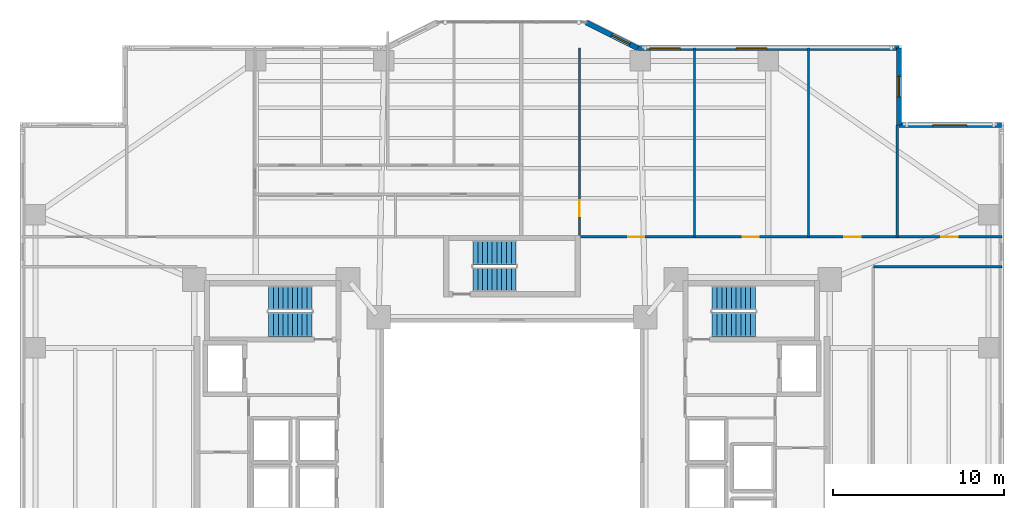
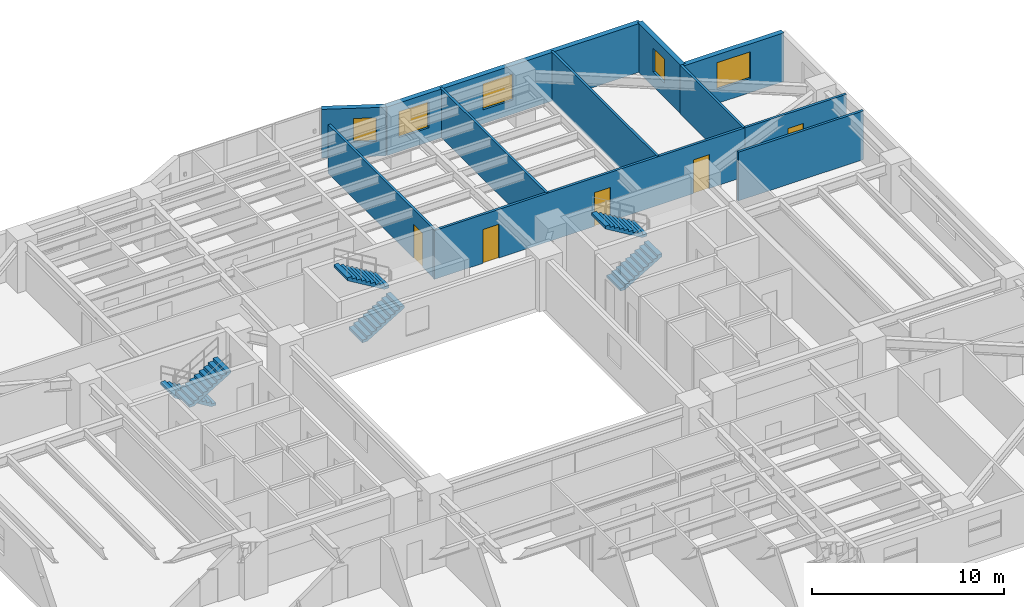
# One storey, part 14 of 19: 11 walls, 6 stair flights, 5 doors, 5 windows, 10 openings, 3 elements without a shape of their own.
"""IFC4 building model written with IfcOpenShell, lengths in metres."""

import ifcopenshell
import ifcopenshell.guid

model = None  # the IFC model being written
_history = None  # IfcOwnerHistory: only IFC2X3 demands one
_inside = {}  # id of a spatial element -> (the spatial element, [elements in it])
_under = {}  # id of a project, library or spatial element -> (it, [spatial elements below it])
_declared = {}  # id of a project -> (the project, [libraries it declares])
_typed = {}  # id of a type object -> (the type object, [elements of that type])
_made_of = {}  # id of a material, layer set ... -> (it, [elements and type objects made of it])


def new_model(schema):
    """Start an empty IFC model of exactly this schema.

    Asked for "IFC4X3", IfcOpenShell would pick the latest addendum, in which some entities
    have other attributes; the version numbers below select the first issue.
    IFC2X3 requires an IfcOwnerHistory on every rooted entity: one is made here for all.
    """
    global model, _history
    if schema == "IFC4X3":
        model = ifcopenshell.file(schema_version=(4, 3, 0, 0))
    else:
        model = ifcopenshell.file(schema=schema)
    _inside.clear()
    _under.clear()
    _declared.clear()
    _typed.clear()
    _made_of.clear()
    _history = None
    if model.schema == "IFC2X3":
        org = make("IfcOrganization", Name="unknown")
        user = make(
            "IfcPersonAndOrganization",
            ThePerson=make("IfcPerson", FamilyName="unknown"),
            TheOrganization=org,
        )
        app = make(
            "IfcApplication",
            ApplicationDeveloper=org,
            Version="unknown",
            ApplicationFullName="unknown",
            ApplicationIdentifier="unknown",
        )
        _history = make(
            "IfcOwnerHistory",
            OwningUser=user,
            OwningApplication=app,
            ChangeAction="ADDED",
            CreationDate=0,
        )
    return model


def make(cls, **values):
    """One entity of the class cls with the attributes given. An attribute that is None is left unset."""
    return model.create_entity(
        cls, **{name: value for name, value in values.items() if value is not None}
    )


def rooted(cls, **values):
    """An entity with a GlobalId (a new one), such as an element, a storey or a relation."""
    return make(cls, GlobalId=ifcopenshell.guid.new(), OwnerHistory=_history, **values)


def si_unit(unit_type, name, prefix=None):
    """IfcSIUnit, for example si_unit("LENGTHUNIT", "METRE", prefix="MILLI")."""
    return make("IfcSIUnit", UnitType=unit_type, Prefix=prefix, Name=name)


def assignment(units):
    """IfcUnitAssignment: the units of a project."""
    return None if units is None else make("IfcUnitAssignment", Units=units)


def point(xyz):
    """IfcCartesianPoint."""
    return None if xyz is None else make("IfcCartesianPoint", Coordinates=xyz)


def direction(xyz):
    """IfcDirection."""
    return None if xyz is None else make("IfcDirection", DirectionRatios=xyz)


def frame(location, z_axis=None, x_axis=None):
    """IfcAxis2Placement3D, a coordinate frame: its origin and axes. An axis left out is left unset."""
    return make(
        "IfcAxis2Placement3D",
        Location=point(location),
        Axis=direction(z_axis),
        RefDirection=direction(x_axis),
    )


def frame_2d(location, x_axis=None):
    """IfcAxis2Placement2D, a coordinate frame in the plane: its origin and x axis."""
    return make(
        "IfcAxis2Placement2D", Location=point(location), RefDirection=direction(x_axis)
    )


def origin():
    """The frame at (0, 0, 0) with its axes left unset."""
    return frame((0.0, 0.0, 0.0))


def place(relative_to, where):
    """IfcLocalPlacement: puts the frame where relative to a parent placement (None: the world)."""
    return make(
        "IfcLocalPlacement", PlacementRelTo=relative_to, RelativePlacement=where
    )


def context(
    kind, dimensions, precision=None, world=None, true_north=None, identifier=None
):
    """IfcGeometricRepresentationContext, for example the 3D "Model" context."""
    return make(
        "IfcGeometricRepresentationContext",
        ContextIdentifier=identifier,
        ContextType=kind,
        CoordinateSpaceDimension=dimensions,
        Precision=precision,
        WorldCoordinateSystem=world,
        TrueNorth=true_north,
    )


def subcontext(parent, identifier, kind, view, scale=None):
    """IfcGeometricRepresentationSubContext, for example "Body" below "Model"."""
    return make(
        "IfcGeometricRepresentationSubContext",
        ContextIdentifier=identifier,
        ContextType=kind,
        ParentContext=parent,
        TargetScale=scale,
        TargetView=view,
    )


def project(units=None, contexts=None):
    """IfcProject with its units and contexts."""
    return rooted(
        "IfcProject",
        Name="project",
        RepresentationContexts=contexts,
        UnitsInContext=assignment(units),
    )


def spatial(cls, under=None, at=None, **own):
    """A site, building, storey or space (cls), placed at a placement, below another one or the project."""
    s = rooted(cls, ObjectPlacement=at, **own)
    if under is not None:
        _under.setdefault(under.id(), (under, []))[1].append(s)
    return s


def polyline(points):
    """IfcPolyline through the points."""
    return make("IfcPolyline", Points=[point(p) for p in points])


def profile(cls, at=None, kind="AREA", **sizes):
    """A parametric profile (cls). Its sizes go by their IFC names, for example OverallWidth=200.0."""
    return make(cls, ProfileType=kind, Position=at, **sizes)


def rectangle(**sizes):
    """IfcRectangleProfileDef."""
    return profile("IfcRectangleProfileDef", **sizes)


def outline(outer, holes=None, kind="AREA"):
    """IfcArbitraryClosedProfileDef: a profile drawn as a closed curve; with holes, ...WithVoids."""
    if holes is None:
        return make("IfcArbitraryClosedProfileDef", ProfileType=kind, OuterCurve=outer)
    return make(
        "IfcArbitraryProfileDefWithVoids",
        ProfileType=kind,
        OuterCurve=outer,
        InnerCurves=holes,
    )


def extrude(swept, where, along, depth):
    """IfcExtrudedAreaSolid: the profile swept, set in the frame where, extruded along a direction by depth."""
    return make(
        "IfcExtrudedAreaSolid",
        SweptArea=swept,
        Position=where,
        ExtrudedDirection=direction(along),
        Depth=depth,
    )


def shape(context_of_items, identifier, shape_type, items):
    """IfcShapeRepresentation: the items that make up one representation, for example the "Body"."""
    return make(
        "IfcShapeRepresentation",
        ContextOfItems=context_of_items,
        RepresentationIdentifier=identifier,
        RepresentationType=shape_type,
        Items=items,
    )


def material(Name=None, Category=None):
    """IfcMaterial."""
    return make("IfcMaterial", Name=Name, Category=Category)


def layer(
    of_material, thickness, ventilated=None, Name=None, Category=None, Priority=None
):
    """IfcMaterialLayer: one layer of a wall or slab, of a material (None: an air gap)."""
    return make(
        "IfcMaterialLayer",
        Material=of_material,
        LayerThickness=thickness,
        IsVentilated=ventilated,
        Name=Name,
        Category=Category,
        Priority=Priority,
    )


def layer_set(layers, Name=None):
    """IfcMaterialLayerSet."""
    return make("IfcMaterialLayerSet", MaterialLayers=layers, LayerSetName=Name)


def made_of(thing, what):
    """Note that an element or type object is made of a material, layer set ...; save() writes the relation."""
    if what is not None:
        _made_of.setdefault(what.id(), (what, []))[1].append(thing)
    return thing


def type_object(cls, material=None, **own):
    """A type object (cls), such as IfcWallType, which elements share."""
    return made_of(rooted(cls, **own), material)


def element(
    cls,
    number,
    at=None,
    inside=None,
    cuts=None,
    type_object=None,
    material=None,
    context=None,
    identifier="Body",
    shape_type=None,
    held_by="IfcProductDefinitionShape",
    body=None,
    shapes=None,
    **own,
):
    """One element of the class cls, such as IfcWall. Its Tag is "e" and its number.

    at: its placement. inside: the storey or other place that contains it. cuts: it is an
    opening in that element (IfcRelVoidsElement). A single representation is given by context,
    identifier, shape_type and body (its items); several are given by shapes. held_by: the class
    of the entity that holds the representations. save() writes the other relations.
    """
    e = rooted(cls, Tag="e%d" % number, ObjectPlacement=at, **own)
    if body is not None:
        shapes = [shape(context, identifier, shape_type, body)]
    if shapes is not None:
        e.Representation = make(held_by, Representations=shapes)
    if inside is not None:
        _inside.setdefault(inside.id(), (inside, []))[1].append(e)
    if cuts is not None:
        rooted(
            "IfcRelVoidsElement", RelatingBuildingElement=cuts, RelatedOpeningElement=e
        )
    if type_object is not None:
        _typed.setdefault(type_object.id(), (type_object, []))[1].append(e)
    return made_of(e, material)


def fill(opening, filler):
    """IfcRelFillsElement: the door or window that sits in an opening."""
    return rooted(
        "IfcRelFillsElement",
        RelatingOpeningElement=opening,
        RelatedBuildingElement=filler,
    )


def aggregate(whole, parts):
    """IfcRelAggregates: a whole, such as a stair, and the parts it consists of."""
    return rooted("IfcRelAggregates", RelatingObject=whole, RelatedObjects=parts)


def save(model, path):
    """Write the relations noted so far, then the file.

    IfcRelAggregates (storeys below a building ...), IfcRelContainedInSpatialStructure (elements
    in a storey), IfcRelDefinesByType, IfcRelAssociatesMaterial and IfcRelDeclares: one each for
    every whole, place, type object, material and project.
    """
    for whole, parts in _under.values():
        aggregate(whole, parts)
    for where, things in _inside.values():
        rooted(
            "IfcRelContainedInSpatialStructure",
            RelatedElements=things,
            RelatingStructure=where,
        )
    for kind, things in _typed.values():
        rooted("IfcRelDefinesByType", RelatedObjects=things, RelatingType=kind)
    for what, things in _made_of.values():
        rooted("IfcRelAssociatesMaterial", RelatedObjects=things, RelatingMaterial=what)
    for by, libraries in _declared.values():
        rooted("IfcRelDeclares", RelatingContext=by, RelatedDefinitions=libraries)
    model.write(path)


model = new_model("IFC4")

# Units and contexts
model_context = context("Model", 3, precision=1e-05, world=origin(), true_north=direction((0.0, 1.0)))
body_context = subcontext(model_context, "Body", "Model", "MODEL_VIEW")
ifc_project = project(units=[si_unit("LENGTHUNIT", "METRE"), si_unit("AREAUNIT", "SQUARE_METRE"), si_unit("VOLUMEUNIT", "CUBIC_METRE"), si_unit("PLANEANGLEUNIT", "RADIAN"), si_unit("MASSUNIT", "GRAM", prefix="KILO")], contexts=[model_context])

# Site, building, storey
site_placement = place(None, origin())
site = spatial("IfcSite", under=ifc_project, at=site_placement, CompositionType="ELEMENT")
building_placement = place(site_placement, origin())
building = spatial("IfcBuilding", under=site, at=building_placement, Name="Tarnavaz Court Tower", CompositionType="ELEMENT")
storey_placement = place(building_placement, frame((0.0, 0.0, 54.14990234375)))
storey = spatial("IfcBuildingStorey", under=building, at=storey_placement, Name="L14", CompositionType="ELEMENT", Elevation=54.14990234375)

# Wall, opening, window
ifc_material_1 = material(Name="Precast Concrete C40/50", Category="concrete")
ifc_layer_1 = layer(ifc_material_1, 0.300048828125)
ifc_layer_set_1 = layer_set([ifc_layer_1], Name="Precast Concrete C40/50")
wall_type_1 = type_object("IfcWallType", Name="WL-EXT-300", PredefinedType="SOLIDWALL", material=ifc_layer_set_1)
wall_1_placement = place(storey_placement, frame((4.35009765625, 25.050048828125, 0.0), z_axis=(0.0, 0.0, 1.0), x_axis=(0.894427191, -0.4472135955, 0.0)))
wall_1 = element("IfcWall", 1, at=wall_1_placement, inside=storey, type_object=wall_type_1, Name="L14 Exterior Terracotta Facade Wall 08", PredefinedType="SOLIDWALL", context=body_context, shape_type="SweptSolid", body=[
    extrude(rectangle(XDim=3.35400390625, YDim=0.300048828125, at=frame_2d((1.677001953125, 0.0))), origin(), (0.0, 0.0, 1.0), 3.10009765625),
])
opening_1_placement = place(wall_1_placement, frame((1.65283203125, 0.0, 0.949951171875)))
opening_1 = element("IfcOpeningElement", 2, at=opening_1_placement, cuts=wall_1, Name="Opening W05", PredefinedType="OPENING", context=body_context, shape_type="SweptSolid", body=[
    extrude(rectangle(XDim=1.199951171875, YDim=1.5, at=frame_2d((0.60009765625, 0.75))), frame((0.0, 0.159912109375, 0.0), z_axis=(0.0, -1.0, 0.0), x_axis=(1.0, 0.0, 0.0)), (0.0, 0.0, 1.0), 0.320068359375),
])
ifc_material_2 = material(Name="Double-Glazed Solar Low-E Glass", Category="glass")
window_type_1 = type_object("IfcWindowType", Name="WN-APT-1200", PartitioningType="SINGLE_PANEL", PredefinedType="WINDOW", material=ifc_material_2)
window_1_placement = place(opening_1_placement, origin())
window_1 = element("IfcWindow", 3, at=window_1_placement, inside=storey, type_object=window_type_1, Name="L14 Resident Community Meeting Room Window", OverallHeight=1.5, OverallWidth=1.199951171875, PartitioningType="SINGLE_PANEL", PredefinedType="WINDOW", context=body_context, shape_type="SweptSolid", body=[
    extrude(rectangle(XDim=1.199951171875, YDim=1.5, at=frame_2d((0.60009765625, 0.75))), frame((0.0, 0.030029296875, 0.0), z_axis=(0.0, -1.0, 0.0), x_axis=(1.0, 0.0, 0.0)), (0.0, 0.0, 1.0), 0.06005859375),
])
fill(opening_1, window_1)

# Wall, openings, windows
wall_2_placement = place(storey_placement, frame((7.35009765625, 23.550048828125, 0.0), z_axis=(0.0, 0.0, 1.0), x_axis=(1.0, 0.0, 0.0)))
wall_2 = element("IfcWall", 4, at=wall_2_placement, inside=storey, type_object=wall_type_1, Name="L14 Exterior Terracotta Facade Wall 09", PredefinedType="SOLIDWALL", context=body_context, shape_type="SweptSolid", body=[
    extrude(rectangle(XDim=15.2998046875, YDim=0.300048828125, at=frame_2d((7.64990234375, 0.0))), origin(), (0.0, 0.0, 1.0), 3.10009765625),
])
opening_2_placement = place(wall_2_placement, frame((0.705078125, 0.0, 0.89990234375)))
opening_2 = element("IfcOpeningElement", 5, at=opening_2_placement, cuts=wall_2, Name="Opening W01", PredefinedType="OPENING", context=body_context, shape_type="SweptSolid", body=[
    extrude(rectangle(XDim=1.800048828125, YDim=1.64990234375, at=frame_2d((0.89990234375, 0.824951171875))), frame((0.0, 0.159912109375, 0.0), z_axis=(0.0, -1.0, 0.0), x_axis=(1.0, 0.0, 0.0)), (0.0, 0.0, 1.0), 0.320068359375),
])
opening_3_placement = place(wall_2_placement, frame((5.771728515625, 0.0, 0.89990234375)))
opening_3 = element("IfcOpeningElement", 6, at=opening_3_placement, cuts=wall_2, Name="Opening W01", PredefinedType="OPENING", context=body_context, shape_type="SweptSolid", body=[
    extrude(rectangle(XDim=1.800048828125, YDim=1.64990234375, at=frame_2d((0.89990234375, 0.824951171875))), frame((0.0, 0.159912109375, 0.0), z_axis=(0.0, -1.0, 0.0), x_axis=(1.0, 0.0, 0.0)), (0.0, 0.0, 1.0), 0.320068359375),
])
window_type_2 = type_object("IfcWindowType", Name="WN-APT-1800", PartitioningType="DOUBLE_PANEL_VERTICAL", PredefinedType="WINDOW", material=ifc_material_2)
window_2_placement = place(opening_2_placement, origin())
window_2 = element("IfcWindow", 7, at=window_2_placement, inside=storey, type_object=window_type_2, Name="L14 Resident Community Meeting Room Window", OverallHeight=1.64990234375, OverallWidth=1.800048828125, PartitioningType="SINGLE_PANEL", PredefinedType="WINDOW", context=body_context, shape_type="SweptSolid", body=[
    extrude(rectangle(XDim=1.800048828125, YDim=1.64990234375, at=frame_2d((0.89990234375, 0.824951171875))), frame((0.0, 0.030029296875, 0.0), z_axis=(0.0, -1.0, 0.0), x_axis=(1.0, 0.0, 0.0)), (0.0, 0.0, 1.0), 0.06005859375),
])
fill(opening_2, window_2)
window_3_placement = place(opening_3_placement, origin())
window_3 = element("IfcWindow", 8, at=window_3_placement, inside=storey, type_object=window_type_2, Name="L14 Craft and Maker Workshop Room Window", OverallHeight=1.64990234375, OverallWidth=1.800048828125, PartitioningType="SINGLE_PANEL", PredefinedType="WINDOW", context=body_context, shape_type="SweptSolid", body=[
    extrude(rectangle(XDim=1.800048828125, YDim=1.64990234375, at=frame_2d((0.89990234375, 0.824951171875))), frame((0.0, 0.030029296875, 0.0), z_axis=(0.0, -1.0, 0.0), x_axis=(1.0, 0.0, 0.0)), (0.0, 0.0, 1.0), 0.06005859375),
])
fill(opening_3, window_3)

# Wall, opening, window
wall_3_placement = place(storey_placement, frame((22.64990234375, 23.550048828125, 0.0), z_axis=(0.0, 0.0, 1.0), x_axis=(0.0, -1.0, 0.0)))
wall_3 = element("IfcWall", 9, at=wall_3_placement, inside=storey, type_object=wall_type_1, Name="L14 Exterior Terracotta Facade Wall 10", PredefinedType="SOLIDWALL", context=body_context, shape_type="SweptSolid", body=[
    extrude(rectangle(XDim=4.5, YDim=0.300048828125, at=frame_2d((2.25, 0.0))), origin(), (0.0, 0.0, 1.0), 3.10009765625),
])
opening_4_placement = place(wall_3_placement, frame((1.64990234375, 0.0, 0.949951171875)))
opening_4 = element("IfcOpeningElement", 10, at=opening_4_placement, cuts=wall_3, Name="Opening W05", PredefinedType="OPENING", context=body_context, shape_type="SweptSolid", body=[
    extrude(rectangle(XDim=1.199951171875, YDim=1.5, at=frame_2d((0.60009765625, 0.75))), frame((0.0, 0.159912109375, 0.0), z_axis=(0.0, -1.0, 0.0), x_axis=(1.0, 0.0, 0.0)), (0.0, 0.0, 1.0), 0.320068359375),
])
window_4_placement = place(opening_4_placement, origin())
window_4 = element("IfcWindow", 11, at=window_4_placement, inside=storey, type_object=window_type_1, Name="L14 Prow Cheek Bedroom Window 10", OverallHeight=1.5, OverallWidth=1.199951171875, PartitioningType="SINGLE_PANEL", PredefinedType="WINDOW", context=body_context, shape_type="SweptSolid", body=[
    extrude(rectangle(XDim=1.199951171875, YDim=1.5, at=frame_2d((0.60009765625, 0.75))), frame((0.0, 0.030029296875, 0.0), z_axis=(0.0, -1.0, 0.0), x_axis=(1.0, 0.0, 0.0)), (0.0, 0.0, 1.0), 0.06005859375),
])
fill(opening_4, window_4)

wall_4_placement = place(storey_placement, frame((22.64990234375, 19.050048828125, 0.0), z_axis=(0.0, 0.0, 1.0), x_axis=(1.0, 0.0, 0.0)))
wall_4 = element("IfcWall", 12, at=wall_4_placement, inside=storey, type_object=wall_type_1, Name="L14 Exterior Terracotta Facade Wall 11", PredefinedType="SOLIDWALL", context=body_context, shape_type="SweptSolid", body=[
    extrude(rectangle(XDim=6.0, YDim=0.300048828125, at=frame_2d((3.0, 0.0))), origin(), (0.0, 0.0, 1.0), 3.10009765625),
])
opening_5_placement = place(wall_4_placement, frame((1.97509765625, 0.0, 0.89990234375)))
opening_5 = element("IfcOpeningElement", 13, at=opening_5_placement, cuts=wall_4, Name="Opening W08", PredefinedType="OPENING", context=body_context, shape_type="SweptSolid", body=[
    extrude(rectangle(XDim=2.0, YDim=1.699951171875, at=frame_2d((1.0, 0.85009765625))), frame((0.0, 0.159912109375, 0.0), z_axis=(0.0, -1.0, 0.0), x_axis=(1.0, 0.0, 0.0)), (0.0, 0.0, 1.0), 0.320068359375),
])
window_type_3 = type_object("IfcWindowType", Name="WN-APT-2000", PartitioningType="DOUBLE_PANEL_VERTICAL", PredefinedType="WINDOW", material=ifc_material_2)
window_5_placement = place(opening_5_placement, origin())
window_5 = element("IfcWindow", 14, at=window_5_placement, inside=storey, type_object=window_type_3, Name="L14 North-East Corner Sunroom Study Window", OverallHeight=1.699951171875, OverallWidth=2.0, PartitioningType="SINGLE_PANEL", PredefinedType="WINDOW", context=body_context, shape_type="SweptSolid", body=[
    extrude(rectangle(XDim=2.0, YDim=1.699951171875, at=frame_2d((1.0, 0.85009765625))), frame((0.0, 0.030029296875, 0.0), z_axis=(0.0, -1.0, 0.0), x_axis=(1.0, 0.0, 0.0)), (0.0, 0.0, 1.0), 0.06005859375),
])
fill(opening_5, window_5)

# Wall, openings, doors
ifc_material_3 = material(Name="Gypsum Fire-Board on Acoustic Metal Stud", Category="masonry")
ifc_layer_2 = layer(ifc_material_3, 0.14990234375)
ifc_layer_set_2 = layer_set([ifc_layer_2], Name="Gypsum Fire-Board on Acoustic Metal Stud")
wall_type_2 = type_object("IfcWallType", Name="WL-FIRE-150", PredefinedType="PARTITIONING", material=ifc_layer_set_2)
wall_5_placement = place(storey_placement, frame((3.85009765625, 12.5, 0.0), z_axis=(0.0, 0.0, 1.0), x_axis=(1.0, 0.0, 0.0)))
wall_5 = element("IfcWall", 15, at=wall_5_placement, inside=storey, type_object=wall_type_2, Name="L14 NE Wing Corridor Wall 083", PredefinedType="PARTITIONING", context=body_context, shape_type="SweptSolid", body=[
    extrude(rectangle(XDim=18.699951171875, YDim=0.14990234375, at=frame_2d((9.35009765625, 0.0))), origin(), (0.0, 0.0, 1.0), 3.10009765625),
])
opening_6_placement = place(wall_5_placement, frame((2.94189453125, 0.0, 0.0)))
opening_6 = element("IfcOpeningElement", 16, at=opening_6_placement, cuts=wall_5, Name="Opening D13", PredefinedType="OPENING", context=body_context, shape_type="SweptSolid", body=[
    extrude(rectangle(XDim=0.949951171875, YDim=2.14990234375, at=frame_2d((0.47509765625, 1.074951171875))), frame((0.0, 0.0849609375, 0.0), z_axis=(0.0, -1.0, 0.0), x_axis=(1.0, 0.0, 0.0)), (0.0, 0.0, 1.0), 0.169921875),
])
opening_7_placement = place(wall_5_placement, frame((9.64697265625, 0.0, 0.0)))
opening_7 = element("IfcOpeningElement", 17, at=opening_7_placement, cuts=wall_5, Name="Opening D13", PredefinedType="OPENING", context=body_context, shape_type="SweptSolid", body=[
    extrude(rectangle(XDim=0.949951171875, YDim=2.14990234375, at=frame_2d((0.47509765625, 1.074951171875))), frame((0.0, 0.0849609375, 0.0), z_axis=(0.0, -1.0, 0.0), x_axis=(1.0, 0.0, 0.0)), (0.0, 0.0, 1.0), 0.169921875),
])
opening_8_placement = place(wall_5_placement, frame((15.610107421875, 0.0, 0.0)))
opening_8 = element("IfcOpeningElement", 18, at=opening_8_placement, cuts=wall_5, Name="Opening D13", PredefinedType="OPENING", context=body_context, shape_type="SweptSolid", body=[
    extrude(rectangle(XDim=0.949951171875, YDim=2.14990234375, at=frame_2d((0.47509765625, 1.074951171875))), frame((0.0, 0.0849609375, 0.0), z_axis=(0.0, -1.0, 0.0), x_axis=(1.0, 0.0, 0.0)), (0.0, 0.0, 1.0), 0.169921875),
])
ifc_material_4 = material(Name="Engineered Oak Timber", Category="wood")
door_type = type_object("IfcDoorType", Name="DR-INT-950", OperationType="NOTDEFINED", PredefinedType="DOOR", material=ifc_material_4)
door_1_placement = place(opening_6_placement, origin())
door_1 = element("IfcDoor", 19, at=door_1_placement, inside=storey, type_object=door_type, Name="L14 Resident Community Meeting Room Door", OperationType="SINGLE_SWING_RIGHT", OverallHeight=2.14990234375, OverallWidth=0.949951171875, PredefinedType="DOOR", context=body_context, shape_type="SweptSolid", body=[
    extrude(rectangle(XDim=0.949951171875, YDim=2.14990234375, at=frame_2d((0.47509765625, 1.074951171875))), frame((0.0, 0.02490234375, 0.0), z_axis=(0.0, -1.0, 0.0), x_axis=(1.0, 0.0, 0.0)), (0.0, 0.0, 1.0), 0.050048828125),
])
fill(opening_6, door_1)
door_2_placement = place(opening_7_placement, origin())
door_2 = element("IfcDoor", 20, at=door_2_placement, inside=storey, type_object=door_type, Name="L14 Craft and Maker Workshop Room Door", OperationType="SINGLE_SWING_LEFT", OverallHeight=2.14990234375, OverallWidth=0.949951171875, PredefinedType="DOOR", context=body_context, shape_type="SweptSolid", body=[
    extrude(rectangle(XDim=0.949951171875, YDim=2.14990234375, at=frame_2d((0.47509765625, 1.074951171875))), frame((0.0, 0.02490234375, 0.0), z_axis=(0.0, -1.0, 0.0), x_axis=(1.0, 0.0, 0.0)), (0.0, 0.0, 1.0), 0.050048828125),
])
fill(opening_7, door_2)
door_3_placement = place(opening_8_placement, origin())
door_3 = element("IfcDoor", 21, at=door_3_placement, inside=storey, type_object=door_type, Name="L14 Accessible Washroom WC Door", OperationType="SINGLE_SWING_RIGHT", OverallHeight=2.14990234375, OverallWidth=0.949951171875, PredefinedType="DOOR", context=body_context, shape_type="SweptSolid", body=[
    extrude(rectangle(XDim=0.949951171875, YDim=2.14990234375, at=frame_2d((0.47509765625, 1.074951171875))), frame((0.0, 0.02490234375, 0.0), z_axis=(0.0, -1.0, 0.0), x_axis=(1.0, 0.0, 0.0)), (0.0, 0.0, 1.0), 0.050048828125),
])
fill(opening_8, door_3)

# Wall
wall_6_placement = place(storey_placement, frame((21.14990234375, 10.75, 0.0), z_axis=(0.0, 0.0, 1.0), x_axis=(1.0, 0.0, 0.0)))
element("IfcWall", 22, at=wall_6_placement, inside=storey, type_object=wall_type_2, Name="L14 Interior Partition 116", PredefinedType="PARTITIONING", context=body_context, shape_type="SweptSolid", body=[
    extrude(rectangle(XDim=7.530029296875, YDim=0.14990234375, at=frame_2d((3.76513671875, 0.0))), origin(), (0.0, 0.0, 1.0), 3.10009765625),
])

# Wall, opening, door
wall_7_placement = place(storey_placement, frame((22.550048828125, 12.5, 0.0), z_axis=(0.0, 0.0, 1.0), x_axis=(1.0, 0.0, 0.0)))
wall_7 = element("IfcWall", 23, at=wall_7_placement, inside=storey, type_object=wall_type_2, Name="L14 Interior Partition 122", PredefinedType="PARTITIONING", context=body_context, shape_type="SweptSolid", body=[
    extrude(rectangle(XDim=6.1298828125, YDim=0.14990234375, at=frame_2d((3.06494140625, 0.0))), origin(), (0.0, 0.0, 1.0), 3.10009765625),
])
opening_9_placement = place(wall_7_placement, frame((2.590087890625, 0.0, 0.0)))
opening_9 = element("IfcOpeningElement", 24, at=opening_9_placement, cuts=wall_7, Name="Opening D13", PredefinedType="OPENING", context=body_context, shape_type="SweptSolid", body=[
    extrude(rectangle(XDim=0.949951171875, YDim=2.14990234375, at=frame_2d((0.47509765625, 1.074951171875))), frame((0.0, 0.0849609375, 0.0), z_axis=(0.0, -1.0, 0.0), x_axis=(1.0, 0.0, 0.0)), (0.0, 0.0, 1.0), 0.169921875),
])
door_4_placement = place(opening_9_placement, origin())
door_4 = element("IfcDoor", 25, at=door_4_placement, inside=storey, type_object=door_type, Name="L14 NE Sunroom Door", OperationType="SINGLE_SWING_RIGHT", OverallHeight=2.14990234375, OverallWidth=0.949951171875, PredefinedType="DOOR", context=body_context, shape_type="SweptSolid", body=[
    extrude(rectangle(XDim=0.949951171875, YDim=2.14990234375, at=frame_2d((0.47509765625, 1.074951171875))), frame((0.0, 0.02490234375, 0.0), z_axis=(0.0, -1.0, 0.0), x_axis=(1.0, 0.0, 0.0)), (0.0, 0.0, 1.0), 0.050048828125),
])
fill(opening_9, door_4)

ifc_material_5 = material(Name="Gypsum Plasterboard Acoustic Partition", Category="masonry")
ifc_layer_3 = layer(ifc_material_5, 0.139892578125)
ifc_layer_set_3 = layer_set([ifc_layer_3], Name="Gypsum Plasterboard Acoustic Partition")
wall_type_3 = type_object("IfcWallType", Name="WL-PART-150", PredefinedType="PARTITIONING", material=ifc_layer_set_3)
wall_8_placement = place(storey_placement, frame((3.949951171875, 12.5, 0.0), z_axis=(0.0, 0.0, 1.0), x_axis=(0.0, 1.0, 0.0)))
wall_8 = element("IfcWall", 26, at=wall_8_placement, inside=storey, type_object=wall_type_3, Name="L14 Interior Partition 097", PredefinedType="PARTITIONING", context=body_context, shape_type="SweptSolid", body=[
    extrude(rectangle(XDim=11.050048828125, YDim=0.139892578125, at=frame_2d((5.52490234375, 0.0))), origin(), (0.0, 0.0, 1.0), 3.10009765625),
])
opening_10_placement = place(wall_8_placement, frame((1.199951171875, 0.0, 0.0)))
opening_10 = element("IfcOpeningElement", 27, at=opening_10_placement, cuts=wall_8, Name="Opening D13", PredefinedType="OPENING", context=body_context, shape_type="SweptSolid", body=[
    extrude(rectangle(XDim=0.949951171875, YDim=2.14990234375, at=frame_2d((0.47509765625, 1.074951171875))), frame((0.0, 0.079833984375, 0.0), z_axis=(0.0, -1.0, 0.0), x_axis=(1.0, 0.0, 0.0)), (0.0, 0.0, 1.0), 0.159912109375),
])
door_5_placement = place(opening_10_placement, origin())
door_5 = element("IfcDoor", 28, at=door_5_placement, inside=storey, type_object=door_type, Name="L14 NE Iwan Reading Door", OperationType="SINGLE_SWING_LEFT", OverallHeight=2.14990234375, OverallWidth=0.949951171875, PredefinedType="DOOR", context=body_context, shape_type="SweptSolid", body=[
    extrude(rectangle(XDim=0.949951171875, YDim=2.14990234375, at=frame_2d((0.47509765625, 1.074951171875))), frame((0.0, 0.02490234375, 0.0), z_axis=(0.0, -1.0, 0.0), x_axis=(1.0, 0.0, 0.0)), (0.0, 0.0, 1.0), 0.050048828125),
])
fill(opening_10, door_5)

# Walls
for number, where, z_axis, x_axis, name in (
    (29, (10.68408203125, 12.5, 0.0), (0.0, 0.0, 1.0), (0.0, 1.0, 0.0), "L14 Interior Partition 098"),
    (30, (17.35888671875, 12.5, 0.0), (0.0, 0.0, 1.0), (0.0, 1.0, 0.0), "L14 Interior Partition 099"),
):
    element("IfcWall", number, at=place(storey_placement, frame(where, z_axis=z_axis, x_axis=x_axis)), inside=storey, type_object=wall_type_3, Name=name, PredefinedType="PARTITIONING", context=body_context, shape_type="SweptSolid", body=[
        extrude(rectangle(XDim=11.050048828125, YDim=0.139892578125, at=frame_2d((5.52490234375, 0.0))), origin(), (0.0, 0.0, 1.0), 3.10009765625),
    ])
wall_9_placement = place(storey_placement, frame((22.550048828125, 12.5, 0.0), z_axis=(0.0, 0.0, 1.0), x_axis=(0.0, 1.0, 0.0)))
element("IfcWall", 31, at=wall_9_placement, inside=storey, type_object=wall_type_3, Name="L14 Interior Partition 120", PredefinedType="PARTITIONING", context=body_context, shape_type="SweptSolid", body=[
    extrude(rectangle(XDim=6.550048828125, YDim=0.139892578125, at=frame_2d((3.27490234375, 0.0))), origin(), (0.0, 0.0, 1.0), 3.10009765625),
])

# Stair, stair flights
ifc_material_6 = material(Name="Concrete C40/50", Category="concrete")
stair_type = type_object("IfcStairType", Name="ST-TWR-20R", PredefinedType="HALF_TURN_STAIR", material=ifc_material_6)
stair_1_placement = place(storey_placement, origin())
stair_1 = element("IfcStair", 32, at=stair_1_placement, inside=storey, type_object=stair_type, Name="L14 West Core Pressurized Exit Stair ST-W1", PredefinedType="HALF_TURN_STAIR")
stair_flight_type = type_object("IfcStairFlightType", Name="SFL-RC-20R", PredefinedType="STRAIGHT", material=ifc_material_6)
stair_flight_1_placement = place(storey_placement, frame((-11.719970703125, 8.929931640625, 0.0), z_axis=(0.0, 0.0, 1.0), x_axis=(-1.0, 0.0, 0.0)))
stair_flight_1 = element("IfcStairFlight", 33, at=stair_flight_1_placement, type_object=stair_flight_type, Name="ST-W1 flight 1", NumberOfRisers=10, NumberOfTreads=9, PredefinedType="STRAIGHT", RiserHeight=0.1675, TreadLength=0.28, context=body_context, shape_type="SweptSolid", body=[
    extrude(outline(polyline([(0.0, 0.0), (0.0, 0.16748046875), (0.280029296875, 0.16748046875), (0.280029296875, 0.3349609375), (0.56005859375, 0.3349609375), (0.56005859375, 0.50244140625), (0.840087890625, 0.50244140625), (0.840087890625, 0.669921875), (1.1201171875, 0.669921875), (1.1201171875, 0.83740234375), (1.39990234375, 0.83740234375), (1.39990234375, 1.0048828125), (1.679931640625, 1.0048828125), (1.679931640625, 1.172607421875), (1.9599609375, 1.172607421875), (1.9599609375, 1.340087890625), (2.239990234375, 1.340087890625), (2.239990234375, 1.507568359375), (2.52001953125, 1.507568359375), (2.52001953125, 1.675048828125), (2.52001953125, 1.332763671875), (0.2919921875, 0.0), (0.0, 0.0)])), frame((0.0, 0.7099609375, 0.0), z_axis=(0.0, -1.0, 0.0), x_axis=(1.0, 0.0, 0.0)), (0.0, 0.0, 1.0), 1.419921875),
])
stair_flight_2_placement = place(storey_placement, frame((-14.239990234375, 7.360107421875, 1.675048828125), z_axis=(0.0, 0.0, 1.0), x_axis=(1.0, 0.0, 0.0)))
stair_flight_2 = element("IfcStairFlight", 34, at=stair_flight_2_placement, type_object=stair_flight_type, Name="ST-W1 flight 2", NumberOfRisers=10, NumberOfTreads=9, PredefinedType="STRAIGHT", RiserHeight=0.1675, TreadLength=0.28, context=body_context, shape_type="SweptSolid", body=[
    extrude(outline(polyline([(0.0, 0.0), (0.0, 0.16748046875), (0.280029296875, 0.16748046875), (0.280029296875, 0.3349609375), (0.56005859375, 0.3349609375), (0.56005859375, 0.50244140625), (0.840087890625, 0.50244140625), (0.840087890625, 0.669921875), (1.1201171875, 0.669921875), (1.1201171875, 0.83740234375), (1.39990234375, 0.83740234375), (1.39990234375, 1.0048828125), (1.679931640625, 1.0048828125), (1.679931640625, 1.172607421875), (1.9599609375, 1.172607421875), (1.9599609375, 1.340087890625), (2.239990234375, 1.340087890625), (2.239990234375, 1.507568359375), (2.52001953125, 1.507568359375), (2.52001953125, 1.675048828125), (2.52001953125, 1.332763671875), (0.2919921875, 0.0), (0.0, 0.0)])), frame((0.0, 0.7099609375, 0.0), z_axis=(0.0, -1.0, 0.0), x_axis=(1.0, 0.0, 0.0)), (0.0, 0.0, 1.0), 1.419921875),
])
aggregate(stair_1, [stair_flight_1, stair_flight_2])

stair_2_placement = place(storey_placement, origin())
stair_2 = element("IfcStair", 35, at=stair_2_placement, inside=storey, type_object=stair_type, Name="L14 East Core Pressurized Exit Stair ST-E1", PredefinedType="HALF_TURN_STAIR")
stair_flight_3_placement = place(storey_placement, frame((11.719970703125, 7.360107421875, 0.0), z_axis=(0.0, 0.0, 1.0), x_axis=(1.0, 0.0, 0.0)))
stair_flight_3 = element("IfcStairFlight", 36, at=stair_flight_3_placement, type_object=stair_flight_type, Name="ST-E1 flight 1", NumberOfRisers=10, NumberOfTreads=9, PredefinedType="STRAIGHT", RiserHeight=0.1675, TreadLength=0.28, context=body_context, shape_type="SweptSolid", body=[
    extrude(outline(polyline([(0.0, 0.0), (0.0, 0.16748046875), (0.280029296875, 0.16748046875), (0.280029296875, 0.3349609375), (0.56005859375, 0.3349609375), (0.56005859375, 0.50244140625), (0.840087890625, 0.50244140625), (0.840087890625, 0.669921875), (1.1201171875, 0.669921875), (1.1201171875, 0.83740234375), (1.39990234375, 0.83740234375), (1.39990234375, 1.0048828125), (1.679931640625, 1.0048828125), (1.679931640625, 1.172607421875), (1.9599609375, 1.172607421875), (1.9599609375, 1.340087890625), (2.239990234375, 1.340087890625), (2.239990234375, 1.507568359375), (2.52001953125, 1.507568359375), (2.52001953125, 1.675048828125), (2.52001953125, 1.332763671875), (0.2919921875, 0.0), (0.0, 0.0)])), frame((0.0, 0.7099609375, 0.0), z_axis=(0.0, -1.0, 0.0), x_axis=(1.0, 0.0, 0.0)), (0.0, 0.0, 1.0), 1.419921875),
])
stair_flight_4_placement = place(storey_placement, frame((14.239990234375, 8.929931640625, 1.675048828125), z_axis=(0.0, 0.0, 1.0), x_axis=(-1.0, 0.0, 0.0)))
stair_flight_4 = element("IfcStairFlight", 37, at=stair_flight_4_placement, type_object=stair_flight_type, Name="ST-E1 flight 2", NumberOfRisers=10, NumberOfTreads=9, PredefinedType="STRAIGHT", RiserHeight=0.1675, TreadLength=0.28, context=body_context, shape_type="SweptSolid", body=[
    extrude(outline(polyline([(0.0, 0.0), (0.0, 0.16748046875), (0.280029296875, 0.16748046875), (0.280029296875, 0.3349609375), (0.56005859375, 0.3349609375), (0.56005859375, 0.50244140625), (0.840087890625, 0.50244140625), (0.840087890625, 0.669921875), (1.1201171875, 0.669921875), (1.1201171875, 0.83740234375), (1.39990234375, 0.83740234375), (1.39990234375, 1.0048828125), (1.679931640625, 1.0048828125), (1.679931640625, 1.172607421875), (1.9599609375, 1.172607421875), (1.9599609375, 1.340087890625), (2.239990234375, 1.340087890625), (2.239990234375, 1.507568359375), (2.52001953125, 1.507568359375), (2.52001953125, 1.675048828125), (2.52001953125, 1.332763671875), (0.2919921875, 0.0), (0.0, 0.0)])), frame((0.0, 0.7099609375, 0.0), z_axis=(0.0, -1.0, 0.0), x_axis=(1.0, 0.0, 0.0)), (0.0, 0.0, 1.0), 1.419921875),
])
aggregate(stair_2, [stair_flight_3, stair_flight_4])

stair_3_placement = place(storey_placement, origin())
stair_3 = element("IfcStair", 38, at=stair_3_placement, inside=storey, type_object=stair_type, Name="L14 North Ring Pressurized Exit Stair ST-N1", PredefinedType="HALF_TURN_STAIR")
stair_flight_5_placement = place(storey_placement, frame((-2.280029296875, 10.010009765625, 0.0), z_axis=(0.0, 0.0, 1.0), x_axis=(1.0, 0.0, 0.0)))
stair_flight_5 = element("IfcStairFlight", 39, at=stair_flight_5_placement, type_object=stair_flight_type, Name="ST-N1 flight 1", NumberOfRisers=10, NumberOfTreads=9, PredefinedType="STRAIGHT", RiserHeight=0.1675, TreadLength=0.28, context=body_context, shape_type="SweptSolid", body=[
    extrude(outline(polyline([(0.0, 0.0), (0.0, 0.16748046875), (0.280029296875, 0.16748046875), (0.280029296875, 0.3349609375), (0.56005859375, 0.3349609375), (0.56005859375, 0.50244140625), (0.840087890625, 0.50244140625), (0.840087890625, 0.669921875), (1.1201171875, 0.669921875), (1.1201171875, 0.83740234375), (1.39990234375, 0.83740234375), (1.39990234375, 1.0048828125), (1.679931640625, 1.0048828125), (1.679931640625, 1.172607421875), (1.9599609375, 1.172607421875), (1.9599609375, 1.340087890625), (2.239990234375, 1.340087890625), (2.239990234375, 1.507568359375), (2.52001953125, 1.507568359375), (2.52001953125, 1.675048828125), (2.52001953125, 1.332763671875), (0.2919921875, 0.0), (0.0, 0.0)])), frame((0.0, 0.7099609375, 0.0), z_axis=(0.0, -1.0, 0.0), x_axis=(1.0, 0.0, 0.0)), (0.0, 0.0, 1.0), 1.419921875),
])
stair_flight_6_placement = place(storey_placement, frame((0.239990234375, 11.580078125, 1.675048828125), z_axis=(0.0, 0.0, 1.0), x_axis=(-1.0, 0.0, 0.0)))
stair_flight_6 = element("IfcStairFlight", 40, at=stair_flight_6_placement, type_object=stair_flight_type, Name="ST-N1 flight 2", NumberOfRisers=10, NumberOfTreads=9, PredefinedType="STRAIGHT", RiserHeight=0.1675, TreadLength=0.28, context=body_context, shape_type="SweptSolid", body=[
    extrude(outline(polyline([(0.0, 0.0), (0.0, 0.16748046875), (0.280029296875, 0.16748046875), (0.280029296875, 0.3349609375), (0.56005859375, 0.3349609375), (0.56005859375, 0.50244140625), (0.840087890625, 0.50244140625), (0.840087890625, 0.669921875), (1.1201171875, 0.669921875), (1.1201171875, 0.83740234375), (1.39990234375, 0.83740234375), (1.39990234375, 1.0048828125), (1.679931640625, 1.0048828125), (1.679931640625, 1.172607421875), (1.9599609375, 1.172607421875), (1.9599609375, 1.340087890625), (2.239990234375, 1.340087890625), (2.239990234375, 1.507568359375), (2.52001953125, 1.507568359375), (2.52001953125, 1.675048828125), (2.52001953125, 1.332763671875), (0.2919921875, 0.0), (0.0, 0.0)])), frame((0.0, 0.7099609375, 0.0), z_axis=(0.0, -1.0, 0.0), x_axis=(1.0, 0.0, 0.0)), (0.0, 0.0, 1.0), 1.419921875),
])
aggregate(stair_3, [stair_flight_5, stair_flight_6])

save(model, "model.ifc")
